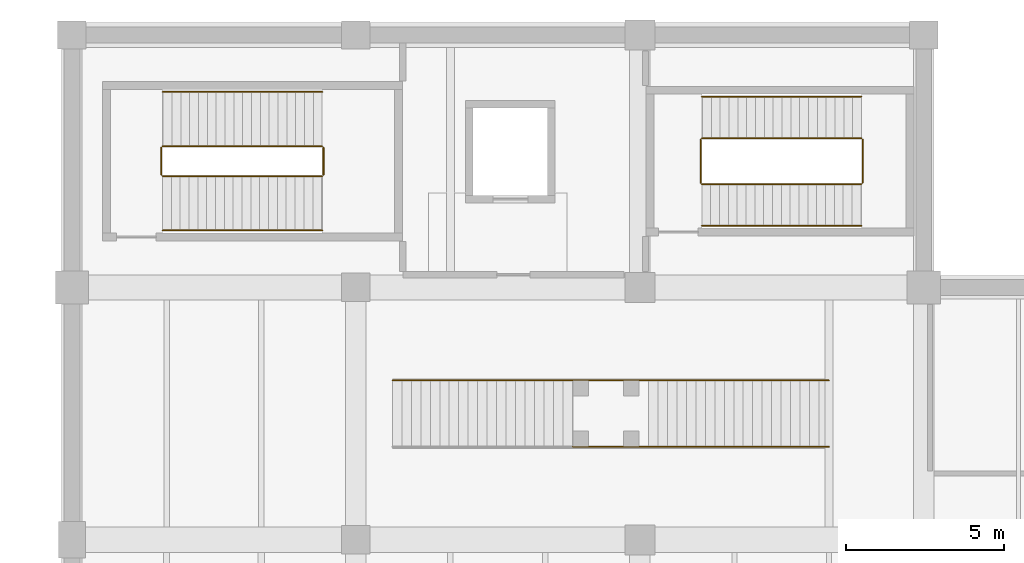
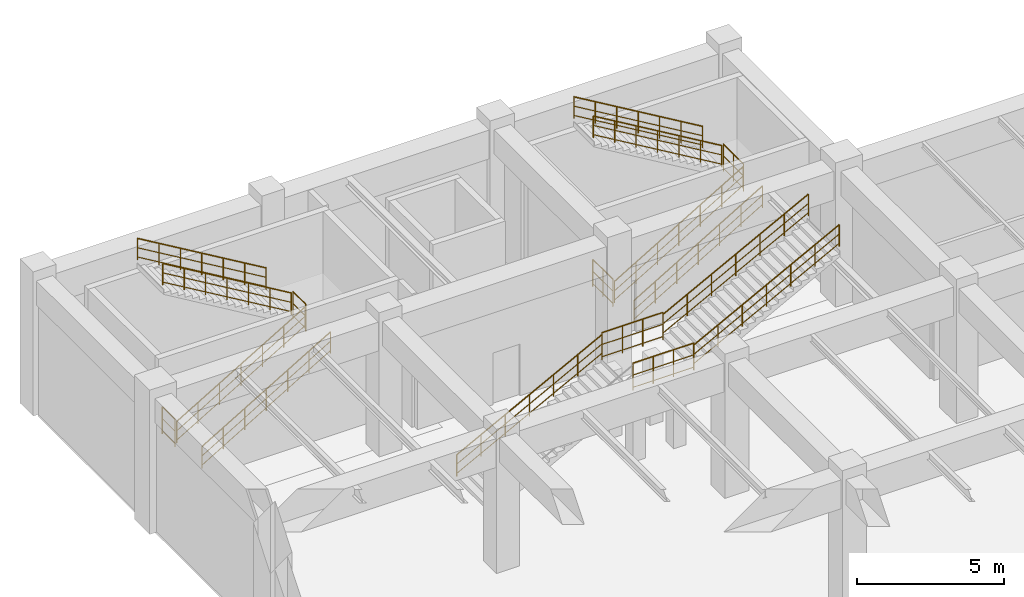
# One storey, part 17 of 20: 17 railings.
"""IFC4 building model written with IfcOpenShell, lengths in metres."""

from ifc_helpers import new_model, si_unit, derived_unit, direction, frame, origin, origin_2d, place, context, subcontext, project, spatial, circle, extrude, material, type_object, element, save


model = new_model("IFC4")

# Units and contexts
model_context = context("Model", 3, precision=1e-05, world=origin(), true_north=direction((0.0, 1.0)))
body_context = subcontext(model_context, "Body", "Model", "MODEL_VIEW")
ifc_project = project(units=[si_unit("LENGTHUNIT", "METRE"), si_unit("AREAUNIT", "SQUARE_METRE"), si_unit("VOLUMEUNIT", "CUBIC_METRE"), si_unit("PLANEANGLEUNIT", "RADIAN"), si_unit("MASSUNIT", "GRAM", prefix="KILO"), derived_unit("THERMALTRANSMITTANCEUNIT", [(si_unit("MASSUNIT", "GRAM", prefix="KILO"), 1), (si_unit("TIMEUNIT", "SECOND"), -3), (si_unit("THERMODYNAMICTEMPERATUREUNIT", "KELVIN"), -1)])], contexts=[model_context])

# Site, building, storey
site_placement = place(None, origin())
site = spatial("IfcSite", under=ifc_project, at=site_placement, CompositionType="ELEMENT")
building_placement = place(site_placement, origin())
building = spatial("IfcBuilding", under=site, at=building_placement, Name="Zhenchuan Archway Interchange", CompositionType="ELEMENT")
storey_placement = place(building_placement, frame((0.0, 0.0, -6.0)))
storey = spatial("IfcBuildingStorey", under=building, at=storey_placement, Name="B1", CompositionType="ELEMENT", Elevation=-6.0)

# Railings
ifc_material_1 = material(Name="Painted Galvanised Steel", Category="steel")
railing_type_1 = type_object("IfcRailingType", Name="RL_GUARD_1150", PredefinedType="GUARDRAIL", material=ifc_material_1)
for number, where, name in (
    (1, (43.97509765625, 83.56494140625, 3.0), "Stair ST-M2 half-landing slot guard (B1)"),
    (2, (38.8349609375, 83.56494140625, 0.0), "Stair ST-M2 floor well guard (B1)"),
):
    element("IfcRailing", number, at=place(storey_placement, frame(where)), inside=storey, type_object=railing_type_1, Name=name, PredefinedType="GUARDRAIL", context=body_context, shape_type="SweptSolid", body=[
        extrude(circle(Radius=0.02392578125, at=origin_2d()), frame((0.0, 0.0, 1.1259765625), z_axis=(0.0, 1.0, 0.0), x_axis=(-1.0, 0.0, 0.0)), (0.0, 0.0, 1.0), 0.8701171875),
        extrude(circle(Radius=0.01611328125, at=origin_2d()), frame((0.0, 0.0, 0.63232421875), z_axis=(0.0, 1.0, 0.0), x_axis=(-1.0, 0.0, 0.0)), (0.0, 0.0, 1.0), 0.8701171875),
        extrude(circle(Radius=0.01611328125, at=origin_2d()), frame((0.0, 0.0, 0.1201171875), z_axis=(0.0, 1.0, 0.0), x_axis=(-1.0, 0.0, 0.0)), (0.0, 0.0, 1.0), 0.8701171875),
        extrude(circle(Radius=0.02099609375, at=origin_2d()), origin(), (0.0, 0.0, 1.0), 1.1259765625),
        extrude(circle(Radius=0.02099609375, at=origin_2d()), frame((0.0, 0.8701171875, 0.0)), (0.0, 0.0, 1.0), 1.1259765625),
    ])
for number, where, name in (
    (3, (61.06494140625, 83.31494140625, 3.0), "Stair ST-M4 half-landing slot guard (B1)"),
    (4, (55.925048828125, 83.31494140625, 0.0), "Stair ST-M4 floor well guard (B1)"),
):
    element("IfcRailing", number, at=place(storey_placement, frame(where)), inside=storey, type_object=railing_type_1, Name=name, PredefinedType="GUARDRAIL", context=body_context, shape_type="SweptSolid", body=[
        extrude(circle(Radius=0.02392578125, at=origin_2d()), frame((0.0, 0.0, 1.1259765625), z_axis=(0.0, 1.0, 0.0), x_axis=(-1.0, 0.0, 0.0)), (0.0, 0.0, 1.0), 1.3701171875),
        extrude(circle(Radius=0.01611328125, at=origin_2d()), frame((0.0, 0.0, 0.63232421875), z_axis=(0.0, 1.0, 0.0), x_axis=(-1.0, 0.0, 0.0)), (0.0, 0.0, 1.0), 1.3701171875),
        extrude(circle(Radius=0.01611328125, at=origin_2d()), frame((0.0, 0.0, 0.1201171875), z_axis=(0.0, 1.0, 0.0), x_axis=(-1.0, 0.0, 0.0)), (0.0, 0.0, 1.0), 1.3701171875),
        extrude(circle(Radius=0.02099609375, at=origin_2d()), origin(), (0.0, 0.0, 1.0), 1.1259765625),
        extrude(circle(Radius=0.02099609375, at=origin_2d()), frame((0.0, 0.68505859375, 0.0)), (0.0, 0.0, 1.0), 1.1259765625),
        extrude(circle(Radius=0.02099609375, at=origin_2d()), frame((0.0, 1.3701171875, 0.0)), (0.0, 0.0, 1.0), 1.1259765625),
    ])
for number, where, name in (
    (5, (51.8798828125, 74.949951171875, 3.0), "Stair ST-P4 landing guard 1"),
    (6, (51.8798828125, 77.050048828125, 3.0), "Stair ST-P4 landing guard 2"),
):
    element("IfcRailing", number, at=place(storey_placement, frame(where)), inside=storey, type_object=railing_type_1, Name=name, PredefinedType="GUARDRAIL", context=body_context, shape_type="SweptSolid", body=[
        extrude(circle(Radius=0.02392578125, at=origin_2d()), frame((0.0, 0.0, 1.1259765625), z_axis=(1.0, 0.0, 0.0), x_axis=(0.0, 1.0, 0.0)), (0.0, 0.0, 1.0), 2.400146484375),
        extrude(circle(Radius=0.01611328125, at=origin_2d()), frame((0.0, 0.0, 0.63232421875), z_axis=(1.0, 0.0, 0.0), x_axis=(0.0, 1.0, 0.0)), (0.0, 0.0, 1.0), 2.400146484375),
        extrude(circle(Radius=0.01611328125, at=origin_2d()), frame((0.0, 0.0, 0.1201171875), z_axis=(1.0, 0.0, 0.0), x_axis=(0.0, 1.0, 0.0)), (0.0, 0.0, 1.0), 2.400146484375),
        extrude(circle(Radius=0.02099609375, at=origin_2d()), origin(), (0.0, 0.0, 1.0), 1.1259765625),
        extrude(circle(Radius=0.02099609375, at=origin_2d()), frame((0.800048828125, 0.0, 0.0)), (0.0, 0.0, 1.0), 1.1259765625),
        extrude(circle(Radius=0.02099609375, at=origin_2d()), frame((1.60009765625, 0.0, 0.0)), (0.0, 0.0, 1.0), 1.1259765625),
        extrude(circle(Radius=0.02099609375, at=origin_2d()), frame((2.400146484375, 0.0, 0.0)), (0.0, 0.0, 1.0), 1.1259765625),
    ])
ifc_material_2 = material(Name="Stainless Steel 304", Category="steel")
railing_type_2 = type_object("IfcRailingType", Name="RL_HAND_920", PredefinedType="HANDRAIL", material=ifc_material_2)
for number, where, name in (
    (7, (38.875, 81.804931640625, 0.157958984375), "Stair ST-M2 handrail 1 (B1)"),
    (8, (38.875, 83.52490234375, 0.157958984375), "Stair ST-M2 handrail 2 (B1)"),
):
    element("IfcRailing", number, at=place(storey_placement, frame(where)), inside=storey, type_object=railing_type_2, Name=name, PredefinedType="HANDRAIL", context=body_context, shape_type="SweptSolid", body=[
        extrude(circle(Radius=0.02392578125, at=origin_2d()), frame((0.0, 0.0, 0.89599609375), z_axis=(0.860183649657, 0.0, 0.509984400607), x_axis=(0.0, 1.0, 0.0)), (0.0, 0.0, 1.0), 5.882568359375),
        extrude(circle(Radius=0.01611328125, at=origin_2d()), frame((0.0, 0.0, 0.505859375), z_axis=(0.860183649657, 0.0, 0.509984400607), x_axis=(0.0, 1.0, 0.0)), (0.0, 0.0, 1.0), 5.882568359375),
        extrude(circle(Radius=0.01611328125, at=origin_2d()), frame((0.0, 0.0, 0.1201171875), z_axis=(0.860183649657, 0.0, 0.509984400607), x_axis=(0.0, 1.0, 0.0)), (0.0, 0.0, 1.0), 5.882568359375),
        extrude(circle(Radius=0.02099609375, at=origin_2d()), origin(), (0.0, 0.0, 1.0), 0.89599609375),
        extrude(circle(Radius=0.02099609375, at=origin_2d()), frame((0.84326171875, 0.0, 0.5)), (0.0, 0.0, 1.0), 0.89599609375),
        extrude(circle(Radius=0.02099609375, at=origin_2d()), frame((1.686767578125, 0.0, 1.0)), (0.0, 0.0, 1.0), 0.89599609375),
        extrude(circle(Radius=0.02099609375, at=origin_2d()), frame((2.530029296875, 0.0, 1.5)), (0.0, 0.0, 1.0), 0.89599609375),
        extrude(circle(Radius=0.02099609375, at=origin_2d()), frame((3.373291015625, 0.0, 2.0)), (0.0, 0.0, 1.0), 0.89599609375),
        extrude(circle(Radius=0.02099609375, at=origin_2d()), frame((4.216796875, 0.0, 2.5)), (0.0, 0.0, 1.0), 0.89599609375),
        extrude(circle(Radius=0.02099609375, at=origin_2d()), frame((5.06005859375, 0.0, 3.0)), (0.0, 0.0, 1.0), 0.89599609375),
    ])
for number, where, name in (
    (9, (43.93505859375, 84.47509765625, 3.157958984375), "Stair ST-M2 handrail 3 (B1)"),
    (10, (43.93505859375, 86.195068359375, 3.157958984375), "Stair ST-M2 handrail 4 (B1)"),
):
    element("IfcRailing", number, at=place(storey_placement, frame(where)), inside=storey, type_object=railing_type_2, Name=name, PredefinedType="HANDRAIL", context=body_context, shape_type="SweptSolid", body=[
        extrude(circle(Radius=0.02392578125, at=origin_2d()), frame((0.0, 0.0, 0.89599609375), z_axis=(-0.860183649657, 0.0, 0.509984400607), x_axis=(0.0, -1.0, 0.0)), (0.0, 0.0, 1.0), 5.882568359375),
        extrude(circle(Radius=0.01611328125, at=origin_2d()), frame((0.0, 0.0, 0.505859375), z_axis=(-0.860183649657, 0.0, 0.509984400607), x_axis=(0.0, -1.0, 0.0)), (0.0, 0.0, 1.0), 5.882568359375),
        extrude(circle(Radius=0.01611328125, at=origin_2d()), frame((0.0, 0.0, 0.1201171875), z_axis=(-0.860183649657, 0.0, 0.509984400607), x_axis=(0.0, -1.0, 0.0)), (0.0, 0.0, 1.0), 5.882568359375),
        extrude(circle(Radius=0.02099609375, at=origin_2d()), origin(), (0.0, 0.0, 1.0), 0.89599609375),
        extrude(circle(Radius=0.02099609375, at=origin_2d()), frame((-0.84326171875, 0.0, 0.5)), (0.0, 0.0, 1.0), 0.89599609375),
        extrude(circle(Radius=0.02099609375, at=origin_2d()), frame((-1.686767578125, 0.0, 1.0)), (0.0, 0.0, 1.0), 0.89599609375),
        extrude(circle(Radius=0.02099609375, at=origin_2d()), frame((-2.530029296875, 0.0, 1.5)), (0.0, 0.0, 1.0), 0.89599609375),
        extrude(circle(Radius=0.02099609375, at=origin_2d()), frame((-3.373291015625, 0.0, 2.0)), (0.0, 0.0, 1.0), 0.89599609375),
        extrude(circle(Radius=0.02099609375, at=origin_2d()), frame((-4.216796875, 0.0, 2.5)), (0.0, 0.0, 1.0), 0.89599609375),
        extrude(circle(Radius=0.02099609375, at=origin_2d()), frame((-5.06005859375, 0.0, 3.0)), (0.0, 0.0, 1.0), 0.89599609375),
    ])
for number, where, name in (
    (11, (55.965087890625, 81.955078125, 0.157958984375), "Stair ST-M4 handrail 1 (B1)"),
    (12, (55.965087890625, 83.27490234375, 0.157958984375), "Stair ST-M4 handrail 2 (B1)"),
):
    element("IfcRailing", number, at=place(storey_placement, frame(where)), inside=storey, type_object=railing_type_2, Name=name, PredefinedType="HANDRAIL", context=body_context, shape_type="SweptSolid", body=[
        extrude(circle(Radius=0.02392578125, at=origin_2d()), frame((0.0, 0.0, 0.89599609375), z_axis=(0.860172854904, 0.0, 0.51000260753), x_axis=(0.0, 1.0, 0.0)), (0.0, 0.0, 1.0), 5.88232421875),
        extrude(circle(Radius=0.01611328125, at=origin_2d()), frame((0.0, 0.0, 0.505859375), z_axis=(0.860172854904, 0.0, 0.51000260753), x_axis=(0.0, 1.0, 0.0)), (0.0, 0.0, 1.0), 5.88232421875),
        extrude(circle(Radius=0.01611328125, at=origin_2d()), frame((0.0, 0.0, 0.1201171875), z_axis=(0.860172854904, 0.0, 0.51000260753), x_axis=(0.0, 1.0, 0.0)), (0.0, 0.0, 1.0), 5.88232421875),
        extrude(circle(Radius=0.02099609375, at=origin_2d()), origin(), (0.0, 0.0, 1.0), 0.89599609375),
        extrude(circle(Radius=0.02099609375, at=origin_2d()), frame((0.84326171875, 0.0, 0.5)), (0.0, 0.0, 1.0), 0.89599609375),
        extrude(circle(Radius=0.02099609375, at=origin_2d()), frame((1.6865234375, 0.0, 1.0)), (0.0, 0.0, 1.0), 0.89599609375),
        extrude(circle(Radius=0.02099609375, at=origin_2d()), frame((2.52978515625, 0.0, 1.5)), (0.0, 0.0, 1.0), 0.89599609375),
        extrude(circle(Radius=0.02099609375, at=origin_2d()), frame((3.373291015625, 0.0, 2.0)), (0.0, 0.0, 1.0), 0.89599609375),
        extrude(circle(Radius=0.02099609375, at=origin_2d()), frame((4.216552734375, 0.0, 2.5)), (0.0, 0.0, 1.0), 0.89599609375),
        extrude(circle(Radius=0.02099609375, at=origin_2d()), frame((5.059814453125, 0.0, 3.0)), (0.0, 0.0, 1.0), 0.89599609375),
    ])
for number, where, name in (
    (13, (61.02490234375, 84.72509765625, 3.157958984375), "Stair ST-M4 handrail 3 (B1)"),
    (14, (61.02490234375, 86.044921875, 3.157958984375), "Stair ST-M4 handrail 4 (B1)"),
):
    element("IfcRailing", number, at=place(storey_placement, frame(where)), inside=storey, type_object=railing_type_2, Name=name, PredefinedType="HANDRAIL", context=body_context, shape_type="SweptSolid", body=[
        extrude(circle(Radius=0.02392578125, at=origin_2d()), frame((0.0, 0.0, 0.89599609375), z_axis=(-0.860172854904, 0.0, 0.51000260753), x_axis=(0.0, -1.0, 0.0)), (0.0, 0.0, 1.0), 5.88232421875),
        extrude(circle(Radius=0.01611328125, at=origin_2d()), frame((0.0, 0.0, 0.505859375), z_axis=(-0.860172854904, 0.0, 0.51000260753), x_axis=(0.0, -1.0, 0.0)), (0.0, 0.0, 1.0), 5.88232421875),
        extrude(circle(Radius=0.01611328125, at=origin_2d()), frame((0.0, 0.0, 0.1201171875), z_axis=(-0.860172854904, 0.0, 0.51000260753), x_axis=(0.0, -1.0, 0.0)), (0.0, 0.0, 1.0), 5.88232421875),
        extrude(circle(Radius=0.02099609375, at=origin_2d()), origin(), (0.0, 0.0, 1.0), 0.89599609375),
        extrude(circle(Radius=0.02099609375, at=origin_2d()), frame((-0.84326171875, 0.0, 0.5)), (0.0, 0.0, 1.0), 0.89599609375),
        extrude(circle(Radius=0.02099609375, at=origin_2d()), frame((-1.6865234375, 0.0, 1.0)), (0.0, 0.0, 1.0), 0.89599609375),
        extrude(circle(Radius=0.02099609375, at=origin_2d()), frame((-2.52978515625, 0.0, 1.5)), (0.0, 0.0, 1.0), 0.89599609375),
        extrude(circle(Radius=0.02099609375, at=origin_2d()), frame((-3.373291015625, 0.0, 2.0)), (0.0, 0.0, 1.0), 0.89599609375),
        extrude(circle(Radius=0.02099609375, at=origin_2d()), frame((-4.216552734375, 0.0, 2.5)), (0.0, 0.0, 1.0), 0.89599609375),
        extrude(circle(Radius=0.02099609375, at=origin_2d()), frame((-5.059814453125, 0.0, 3.0)), (0.0, 0.0, 1.0), 0.89599609375),
    ])
for number, where, name in (
    (15, (54.280029296875, 74.949951171875, 3.14990234375), "Stair ST-P4 upper flight handrail 1"),
    (16, (46.159912109375, 77.050048828125, 0.14990234375), "Stair ST-P4 lower flight handrail 2"),
    (17, (54.280029296875, 77.050048828125, 3.14990234375), "Stair ST-P4 upper flight handrail 2"),
):
    element("IfcRailing", number, at=place(storey_placement, frame(where)), inside=storey, type_object=railing_type_2, Name=name, PredefinedType="HANDRAIL", context=body_context, shape_type="SweptSolid", body=[
        extrude(circle(Radius=0.02392578125, at=origin_2d()), frame((0.0, 0.0, 0.89599609375), z_axis=(0.885588007981, 0.0, 0.464471613901), x_axis=(0.0, 1.0, 0.0)), (0.0, 0.0, 1.0), 6.458984375),
        extrude(circle(Radius=0.01611328125, at=origin_2d()), frame((0.0, 0.0, 0.505859375), z_axis=(0.885588007981, 0.0, 0.464471613901), x_axis=(0.0, 1.0, 0.0)), (0.0, 0.0, 1.0), 6.458984375),
        extrude(circle(Radius=0.01611328125, at=origin_2d()), frame((0.0, 0.0, 0.1201171875), z_axis=(0.885588007981, 0.0, 0.464471613901), x_axis=(0.0, 1.0, 0.0)), (0.0, 0.0, 1.0), 6.458984375),
        extrude(circle(Radius=0.02099609375, at=origin_2d()), origin(), (0.0, 0.0, 1.0), 0.89599609375),
        extrude(circle(Radius=0.02099609375, at=origin_2d()), frame((0.953369140625, 0.0, 0.5)), (0.0, 0.0, 1.0), 0.89599609375),
        extrude(circle(Radius=0.02099609375, at=origin_2d()), frame((1.90673828125, 0.0, 1.0)), (0.0, 0.0, 1.0), 0.89599609375),
        extrude(circle(Radius=0.02099609375, at=origin_2d()), frame((2.85986328125, 0.0, 1.5)), (0.0, 0.0, 1.0), 0.89599609375),
        extrude(circle(Radius=0.02099609375, at=origin_2d()), frame((3.813232421875, 0.0, 2.0)), (0.0, 0.0, 1.0), 0.89599609375),
        extrude(circle(Radius=0.02099609375, at=origin_2d()), frame((4.7666015625, 0.0, 2.5)), (0.0, 0.0, 1.0), 0.89599609375),
        extrude(circle(Radius=0.02099609375, at=origin_2d()), frame((5.719970703125, 0.0, 3.0)), (0.0, 0.0, 1.0), 0.89599609375),
    ])

save(model, "model.ifc")
